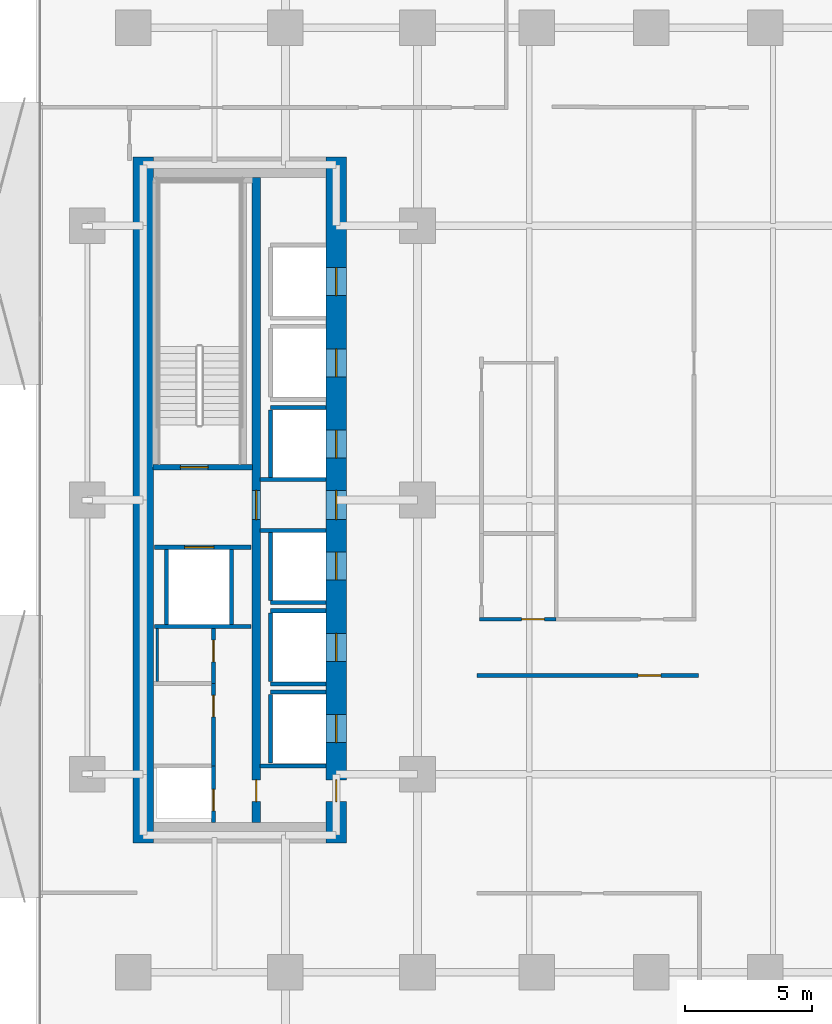
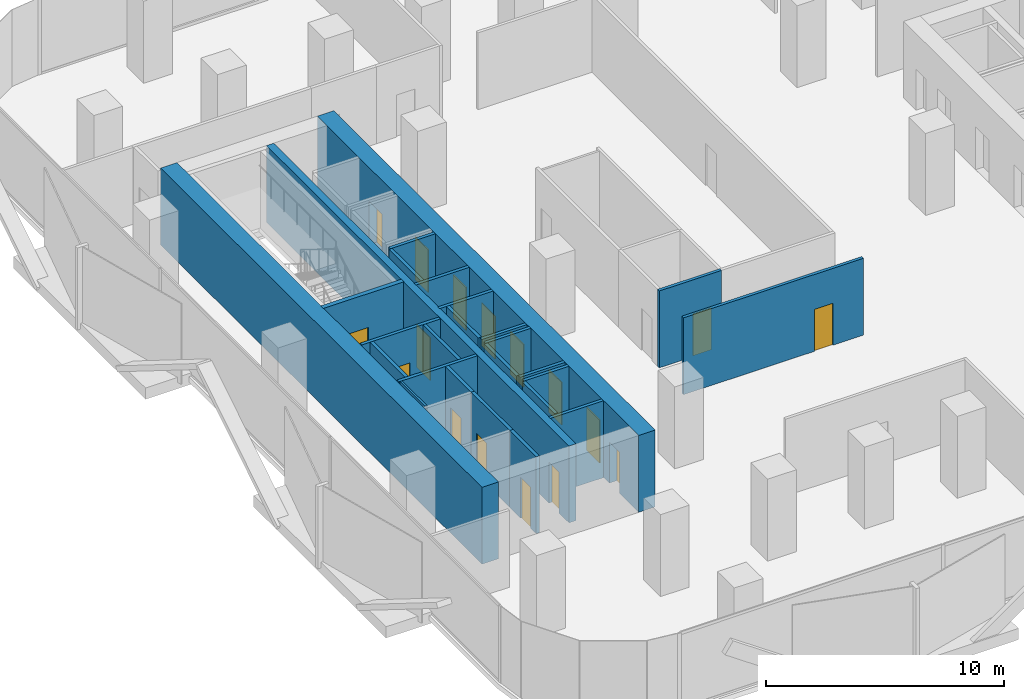
# One storey, part 3 of 15: 26 walls, 17 doors, 17 openings.
"""IFC4 building model written with IfcOpenShell, lengths in metres."""

from ifc_helpers import new_model, si_unit, direction, frame, frame_2d, origin, place, context, subcontext, project, spatial, rectangle, extrude, material, layer, layer_set, type_object, element, fill, save


model = new_model("IFC4")

# Units and contexts
model_context = context("Model", 3, precision=1e-05, world=origin(), true_north=direction((0.0, 1.0)))
body_context = subcontext(model_context, "Body", "Model", "MODEL_VIEW")
ifc_project = project(units=[si_unit("LENGTHUNIT", "METRE"), si_unit("AREAUNIT", "SQUARE_METRE"), si_unit("VOLUMEUNIT", "CUBIC_METRE"), si_unit("PLANEANGLEUNIT", "RADIAN"), si_unit("MASSUNIT", "GRAM", prefix="KILO")], contexts=[model_context])

# Site, building, storey
site_placement = place(None, origin())
site = spatial("IfcSite", under=ifc_project, at=site_placement, CompositionType="ELEMENT")
building_placement = place(site_placement, origin())
building = spatial("IfcBuilding", under=site, at=building_placement, Name="Khairoan Windgate Tower", CompositionType="ELEMENT")
storey_placement = place(building_placement, frame((0.0, 0.0, 72.199951171875)))
storey = spatial("IfcBuildingStorey", under=building, at=storey_placement, Name="L17", CompositionType="ELEMENT", Elevation=72.199951171875)

# Walls
ifc_material_1 = material(Name="Moisture-Resistant Gypsum Partition", Category="gypsum")
ifc_layer_1 = layer(ifc_material_1, 0.10009765625, Name="Moisture-Resistant Gypsum Partition")
ifc_layer_set_1 = layer_set([ifc_layer_1], Name="Moisture-Resistant Gypsum Partition")
wall_type_1 = type_object("IfcWallType", Name="Bathroom Wet-Area Partition Wall", PredefinedType="PARTITIONING", material=ifc_layer_set_1)
wall_1_placement = place(storey_placement, frame((-19.449951171875, -7.14990234375, 0.0), z_axis=(0.0, 0.0, 1.0), x_axis=(0.0, 1.0, 0.0)))
element("IfcWall", 1, at=wall_1_placement, inside=storey, type_object=wall_type_1, Name="L17 Wet Room Side Wall 036", PredefinedType="PARTITIONING", context=body_context, shape_type="SweptSolid", body=[
    extrude(rectangle(XDim=2.08984375, YDim=0.10009765625, at=frame_2d((1.044921875, 0.0))), origin(), (0.0, 0.0, 1.0), 3.93994140625),
])
ifc_material_2 = material(Name="Concrete C40/50", Category="concrete")
ifc_layer_2 = layer(ifc_material_2, 0.159912109375, Name="Concrete C40/50")
ifc_layer_set_2 = layer_set([ifc_layer_2], Name="Concrete C40/50")
wall_type_2 = type_object("IfcWallType", Name="Core and Hoistway Enclosure Wall", PredefinedType="STANDARD", material=ifc_layer_set_2)
wall_2_placement = place(storey_placement, frame((-14.989990234375, 3.639892578125, 0.0), z_axis=(0.0, 0.0, 1.0), x_axis=(1.0, 0.0, 0.0)))
element("IfcWall", 2, at=wall_2_placement, inside=storey, type_object=wall_type_2, Name="L17 Lift PL3 Hoistway Divider N", PredefinedType="STANDARD", context=body_context, shape_type="SweptSolid", body=[
    extrude(rectangle(XDim=2.18994140625, YDim=0.159912109375, at=frame_2d((1.094970703125, 0.0))), origin(), (0.0, 0.0, 1.0), 3.93994140625),
])
wall_3_placement = place(storey_placement, frame((-14.989990234375, 0.85009765625, 0.0), z_axis=(0.0, 0.0, 1.0), x_axis=(0.0, 1.0, 0.0)))
element("IfcWall", 3, at=wall_3_placement, inside=storey, type_object=wall_type_2, Name="L17 Lift PL3 Hoistway Back Wall", PredefinedType="STANDARD", context=body_context, shape_type="SweptSolid", body=[
    extrude(rectangle(XDim=2.699951171875, YDim=0.159912109375, at=frame_2d((1.35009765625, 0.0))), origin(), (0.0, 0.0, 1.0), 3.93994140625),
])
wall_4_placement = place(storey_placement, frame((-14.989990234375, -4.0400390625, 0.0), z_axis=(0.0, 0.0, 1.0), x_axis=(1.0, 0.0, 0.0)))
element("IfcWall", 4, at=wall_4_placement, inside=storey, type_object=wall_type_2, Name="L17 Lift PL4 Hoistway Divider S", PredefinedType="STANDARD", context=body_context, shape_type="SweptSolid", body=[
    extrude(rectangle(XDim=2.18994140625, YDim=0.159912109375, at=frame_2d((1.094970703125, 0.0))), origin(), (0.0, 0.0, 1.0), 3.93994140625),
])
wall_5_placement = place(storey_placement, frame((-14.989990234375, -3.949951171875, 0.0), z_axis=(0.0, 0.0, 1.0), x_axis=(0.0, 1.0, 0.0)))
element("IfcWall", 5, at=wall_5_placement, inside=storey, type_object=wall_type_2, Name="L17 Lift PL4 Hoistway Back Wall", PredefinedType="STANDARD", context=body_context, shape_type="SweptSolid", body=[
    extrude(rectangle(XDim=2.699951171875, YDim=0.159912109375, at=frame_2d((1.35009765625, 0.0))), origin(), (0.0, 0.0, 1.0), 3.93994140625),
])
for number, where, z_axis, x_axis, name in (
    (6, (-14.989990234375, -7.239990234375, 0.0), (0.0, 0.0, 1.0), (1.0, 0.0, 0.0), "L17 Lift PL5 Hoistway Divider S"),
    (7, (-14.989990234375, -4.360107421875, 0.0), (0.0, 0.0, 1.0), (1.0, 0.0, 0.0), "L17 Lift PL5 Hoistway Divider N"),
):
    element("IfcWall", number, at=place(storey_placement, frame(where, z_axis=z_axis, x_axis=x_axis)), inside=storey, type_object=wall_type_2, Name=name, PredefinedType="STANDARD", context=body_context, shape_type="SweptSolid", body=[
        extrude(rectangle(XDim=2.18994140625, YDim=0.159912109375, at=frame_2d((1.094970703125, 0.0))), origin(), (0.0, 0.0, 1.0), 3.93994140625),
    ])
wall_6_placement = place(storey_placement, frame((-14.989990234375, -7.14990234375, 0.0), z_axis=(0.0, 0.0, 1.0), x_axis=(0.0, 1.0, 0.0)))
element("IfcWall", 8, at=wall_6_placement, inside=storey, type_object=wall_type_2, Name="L17 Lift PL5 Hoistway Back Wall", PredefinedType="STANDARD", context=body_context, shape_type="SweptSolid", body=[
    extrude(rectangle(XDim=2.699951171875, YDim=0.159912109375, at=frame_2d((1.35009765625, 0.0))), origin(), (0.0, 0.0, 1.0), 3.93994140625),
])
wall_7_placement = place(storey_placement, frame((-14.989990234375, -7.56005859375, 0.0), z_axis=(0.0, 0.0, 1.0), x_axis=(1.0, 0.0, 0.0)))
element("IfcWall", 9, at=wall_7_placement, inside=storey, type_object=wall_type_2, Name="L17 Lift PL6 Hoistway Divider N", PredefinedType="STANDARD", context=body_context, shape_type="SweptSolid", body=[
    extrude(rectangle(XDim=2.18994140625, YDim=0.159912109375, at=frame_2d((1.094970703125, 0.0))), origin(), (0.0, 0.0, 1.0), 3.93994140625),
])
wall_8_placement = place(storey_placement, frame((-14.989990234375, -10.35009765625, 0.0), z_axis=(0.0, 0.0, 1.0), x_axis=(0.0, 1.0, 0.0)))
element("IfcWall", 10, at=wall_8_placement, inside=storey, type_object=wall_type_2, Name="L17 Lift PL6 Hoistway Back Wall", PredefinedType="STANDARD", context=body_context, shape_type="SweptSolid", body=[
    extrude(rectangle(XDim=2.7001953125, YDim=0.159912109375, at=frame_2d((1.35009765625, 0.0))), origin(), (0.0, 0.0, 1.0), 3.93994140625),
])

# Wall, opening, door
wall_9_placement = place(storey_placement, frame((-19.550048828125, -1.860107421875, 0.0), z_axis=(0.0, 0.0, 1.0), x_axis=(1.0, 0.0, 0.0)))
wall_9 = element("IfcWall", 11, at=wall_9_placement, inside=storey, type_object=wall_type_2, Name="L17 Core Shaft Wall SW-FL2-L17", PredefinedType="STANDARD", context=body_context, shape_type="SweptSolid", body=[
    extrude(rectangle(XDim=3.800048828125, YDim=0.159912109375, at=frame_2d((1.89990234375, 0.0))), origin(), (0.0, 0.0, 1.0), 3.93994140625),
])
opening_1_placement = place(wall_9_placement, frame((1.179931640625, 0.0, 0.0)))
opening_1 = element("IfcOpeningElement", 12, at=opening_1_placement, cuts=wall_9, Name="Opening LD-FL", PredefinedType="OPENING", context=body_context, shape_type="SweptSolid", body=[
    extrude(rectangle(XDim=1.14990234375, YDim=2.199951171875, at=frame_2d((0.574951171875, 1.10009765625))), frame((0.0, 0.08984375, 0.0), z_axis=(0.0, -1.0, 0.0), x_axis=(1.0, 0.0, 0.0)), (0.0, 0.0, 1.0), 0.179931640625),
])
ifc_material_3 = material(Name="Steel S355", Category="steel")
door_type_1 = type_object("IfcDoorType", Name="Firefighting Lift Sliding Landing Door LD-FL 1150x2200", OperationType="DOUBLE_DOOR_SLIDING", PredefinedType="DOOR", material=ifc_material_3)
door_1_placement = place(opening_1_placement, origin())
door_1 = element("IfcDoor", 13, at=door_1_placement, inside=storey, type_object=door_type_1, Name="L17 Firefighting Lift FL2 Landing Door", OperationType="DOUBLE_DOOR_SLIDING", OverallHeight=2.199951171875, OverallWidth=1.14990234375, PredefinedType="DOOR", context=body_context, shape_type="SweptSolid", body=[
    extrude(rectangle(XDim=1.14990234375, YDim=2.199951171875, at=frame_2d((0.574951171875, 1.10009765625))), frame((0.0, 0.02490234375, 0.0), z_axis=(0.0, -1.0, 0.0), x_axis=(1.0, 0.0, 0.0)), (0.0, 0.0, 1.0), 0.050048828125),
])
fill(opening_1, door_1)

# Walls
wall_10_placement = place(storey_placement, frame((-19.550048828125, -4.97998046875, 0.0), z_axis=(0.0, 0.0, 1.0), x_axis=(1.0, 0.0, 0.0)))
element("IfcWall", 14, at=wall_10_placement, inside=storey, type_object=wall_type_2, Name="L17 Core Shaft Wall SW-FL2B-L17", PredefinedType="STANDARD", context=body_context, shape_type="SweptSolid", body=[
    extrude(rectangle(XDim=3.800048828125, YDim=0.159912109375, at=frame_2d((1.89990234375, 0.0))), origin(), (0.0, 0.0, 1.0), 3.93994140625),
])
for number, where, z_axis, x_axis, name in (
    (15, (-19.080078125, -4.89990234375, 0.0), (0.0, 0.0, 1.0), (0.0, 1.0, 0.0), "L17 Core Shaft Wall SW-FL2W-L17"),
    (16, (-16.52001953125, -4.89990234375, 0.0), (0.0, 0.0, 1.0), (0.0, 1.0, 0.0), "L17 Core Shaft Wall SW-FL2E-L17"),
):
    element("IfcWall", number, at=place(storey_placement, frame(where, z_axis=z_axis, x_axis=x_axis)), inside=storey, type_object=wall_type_2, Name=name, PredefinedType="STANDARD", context=body_context, shape_type="SweptSolid", body=[
        extrude(rectangle(XDim=2.9599609375, YDim=0.159912109375, at=frame_2d((1.47998046875, 0.0))), origin(), (0.0, 0.0, 1.0), 3.93994140625),
    ])
for number, where, z_axis, x_axis, name in (
    (17, (-15.39990234375, 0.800048828125, 0.0), (0.0, 0.0, 1.0), (1.0, 0.0, 0.0), "L17 Core Shaft Wall SW-WV1-L17"),
    (18, (-15.39990234375, -1.199951171875, 0.0), (0.0, 0.0, 1.0), (1.0, 0.0, 0.0), "L17 Core Shaft Wall SW-WV2-L17"),
    (19, (-15.39990234375, -10.47998046875, 0.0), (0.0, 0.0, 1.0), (1.0, 0.0, 0.0), "L17 Core Shaft Wall SW-WSV-L17"),
):
    element("IfcWall", number, at=place(storey_placement, frame(where, z_axis=z_axis, x_axis=x_axis)), inside=storey, type_object=wall_type_2, Name=name, PredefinedType="STANDARD", context=body_context, shape_type="SweptSolid", body=[
        extrude(rectangle(XDim=2.599853515625, YDim=0.159912109375, at=frame_2d((1.2998046875, 0.0))), origin(), (0.0, 0.0, 1.0), 3.93994140625),
    ])

# Wall, opening, door
ifc_material_4 = material(Name="Concrete C40/50", Category="concrete")
ifc_layer_3 = layer(ifc_material_4, 0.159912109375, Name="Concrete C40/50")
ifc_layer_set_3 = layer_set([ifc_layer_3], Name="Concrete C40/50")
wall_type_3 = type_object("IfcWallType", Name="Plant and Refuge Compartment Wall", PredefinedType="PARTITIONING", material=ifc_layer_set_3)
wall_11_placement = place(storey_placement, frame((-17.22998046875, -12.699951171875, 0.0), z_axis=(0.0, 0.0, 1.0), x_axis=(0.0, 1.0, 0.0)))
wall_11 = element("IfcWall", 20, at=wall_11_placement, inside=storey, type_object=wall_type_3, Name="L17 Interior Partition 001", PredefinedType="PARTITIONING", context=body_context, shape_type="SweptSolid", body=[
    extrude(rectangle(XDim=2.22998046875, YDim=0.159912109375, at=frame_2d((1.114990234375, 0.0))), origin(), (0.0, 0.0, 1.0), 3.93994140625),
])
opening_2_placement = place(wall_11_placement, frame((0.4599609375, 0.0, 0.0)))
opening_2 = element("IfcOpeningElement", 21, at=opening_2_placement, cuts=wall_11, Name="Opening FD-SRV", PredefinedType="OPENING", context=body_context, shape_type="SweptSolid", body=[
    extrude(rectangle(XDim=0.85009765625, YDim=2.10009765625, at=frame_2d((0.425048828125, 1.050048828125))), frame((0.0, 0.08984375, 0.0), z_axis=(0.0, -1.0, 0.0), x_axis=(1.0, 0.0, 0.0)), (0.0, 0.0, 1.0), 0.179931640625),
])
ifc_material_5 = material(Name="Steel S355", Category="steel")
door_type_2 = type_object("IfcDoorType", Name="Core Service and Riser Fire Door FD-SRV 850x2100", OperationType="NOTDEFINED", PredefinedType="DOOR", material=ifc_material_5)
door_2_placement = place(opening_2_placement, origin())
door_2 = element("IfcDoor", 22, at=door_2_placement, inside=storey, type_object=door_type_2, Name="L17 L17-04-L17-05 Door", OperationType="SINGLE_SWING_LEFT", OverallHeight=2.10009765625, OverallWidth=0.85009765625, PredefinedType="DOOR", context=body_context, shape_type="SweptSolid", body=[
    extrude(rectangle(XDim=0.85009765625, YDim=2.10009765625, at=frame_2d((0.425048828125, 1.050048828125))), frame((0.0, 0.02490234375, 0.0), z_axis=(0.0, -1.0, 0.0), x_axis=(1.0, 0.0, 0.0)), (0.0, 0.0, 1.0), 0.050048828125),
])
fill(opening_2, door_2)

wall_12_placement = place(storey_placement, frame((-17.22998046875, -7.22998046875, 0.0), z_axis=(0.0, 0.0, 1.0), x_axis=(0.0, 1.0, 0.0)))
wall_12 = element("IfcWall", 23, at=wall_12_placement, inside=storey, type_object=wall_type_3, Name="L17 Interior Partition 002", PredefinedType="PARTITIONING", context=body_context, shape_type="SweptSolid", body=[
    extrude(rectangle(XDim=2.169921875, YDim=0.159912109375, at=frame_2d((1.0849609375, 0.0))), origin(), (0.0, 0.0, 1.0), 3.93994140625),
])
opening_3_placement = place(wall_12_placement, frame((0.860107421875, 0.0, 0.0)))
opening_3 = element("IfcOpeningElement", 24, at=opening_3_placement, cuts=wall_12, Name="Opening FD-SRV", PredefinedType="OPENING", context=body_context, shape_type="SweptSolid", body=[
    extrude(rectangle(XDim=0.85009765625, YDim=2.10009765625, at=frame_2d((0.425048828125, 1.050048828125))), frame((0.0, 0.08984375, 0.0), z_axis=(0.0, -1.0, 0.0), x_axis=(1.0, 0.0, 0.0)), (0.0, 0.0, 1.0), 0.179931640625),
])
door_3_placement = place(opening_3_placement, origin())
door_3 = element("IfcDoor", 25, at=door_3_placement, inside=storey, type_object=door_type_2, Name="L17 L17-04-L17-06 Door", OperationType="SINGLE_SWING_RIGHT", OverallHeight=2.10009765625, OverallWidth=0.85009765625, PredefinedType="DOOR", context=body_context, shape_type="SweptSolid", body=[
    extrude(rectangle(XDim=0.85009765625, YDim=2.10009765625, at=frame_2d((0.425048828125, 1.050048828125))), frame((0.0, 0.02490234375, 0.0), z_axis=(0.0, -1.0, 0.0), x_axis=(1.0, 0.0, 0.0)), (0.0, 0.0, 1.0), 0.050048828125),
])
fill(opening_3, door_3)

wall_13_placement = place(storey_placement, frame((-17.22998046875, -10.469970703125, 0.0), z_axis=(0.0, 0.0, 1.0), x_axis=(0.0, 1.0, 0.0)))
wall_13 = element("IfcWall", 26, at=wall_13_placement, inside=storey, type_object=wall_type_3, Name="L17 Interior Partition 003", PredefinedType="PARTITIONING", context=body_context, shape_type="SweptSolid", body=[
    extrude(rectangle(XDim=3.239990234375, YDim=0.159912109375, at=frame_2d((1.6201171875, 0.0))), origin(), (0.0, 0.0, 1.0), 3.93994140625),
])
opening_4_placement = place(wall_13_placement, frame((1.929931640625, 0.0, 0.0)))
opening_4 = element("IfcOpeningElement", 27, at=opening_4_placement, cuts=wall_13, Name="Opening FD-SRV", PredefinedType="OPENING", context=body_context, shape_type="SweptSolid", body=[
    extrude(rectangle(XDim=0.85009765625, YDim=2.10009765625, at=frame_2d((0.425048828125, 1.050048828125))), frame((0.0, 0.08984375, 0.0), z_axis=(0.0, -1.0, 0.0), x_axis=(1.0, 0.0, 0.0)), (0.0, 0.0, 1.0), 0.179931640625),
])
door_4_placement = place(opening_4_placement, origin())
door_4 = element("IfcDoor", 28, at=door_4_placement, inside=storey, type_object=door_type_2, Name="L17 L17-04-L17-07 Door", OperationType="SINGLE_SWING_LEFT", OverallHeight=2.10009765625, OverallWidth=0.85009765625, PredefinedType="DOOR", context=body_context, shape_type="SweptSolid", body=[
    extrude(rectangle(XDim=0.85009765625, YDim=2.10009765625, at=frame_2d((0.425048828125, 1.050048828125))), frame((0.0, 0.02490234375, 0.0), z_axis=(0.0, -1.0, 0.0), x_axis=(1.0, 0.0, 0.0)), (0.0, 0.0, 1.0), 0.050048828125),
])
fill(opening_4, door_4)

ifc_material_6 = material(Name="Acoustic Fire-Rated Gypsum Partition", Category="gypsum")
ifc_layer_4 = layer(ifc_material_6, 0.14990234375, Name="Acoustic Fire-Rated Gypsum Partition")
ifc_layer_set_4 = layer_set([ifc_layer_4], Name="Acoustic Fire-Rated Gypsum Partition")
wall_type_4 = type_object("IfcWallType", Name="Rated Corridor Partition Wall", PredefinedType="PARTITIONING", material=ifc_layer_set_4)
wall_14_placement = place(storey_placement, frame((-6.760009765625, -4.695068359375, 0.0), z_axis=(0.0, 0.0, 1.0), x_axis=(1.0, 0.0, 0.0)))
wall_14 = element("IfcWall", 29, at=wall_14_placement, inside=storey, type_object=wall_type_4, Name="L17 Interior Partition 012", PredefinedType="PARTITIONING", context=body_context, shape_type="SweptSolid", body=[
    extrude(rectangle(XDim=3.02001953125, YDim=0.14990234375, at=frame_2d((1.510009765625, 0.0))), origin(), (0.0, 0.0, 1.0), 3.93994140625),
])
opening_5_placement = place(wall_14_placement, frame((1.659912109375, 0.0, 0.0)))
opening_5 = element("IfcOpeningElement", 30, at=opening_5_placement, cuts=wall_14, Name="Opening FD-ENT", PredefinedType="OPENING", context=body_context, shape_type="SweptSolid", body=[
    extrude(rectangle(XDim=0.89990234375, YDim=2.14990234375, at=frame_2d((0.449951171875, 1.074951171875))), frame((0.0, 0.0849609375, 0.0), z_axis=(0.0, -1.0, 0.0), x_axis=(1.0, 0.0, 0.0)), (0.0, 0.0, 1.0), 0.169921875),
])
ifc_material_7 = material(Name="Timber Fire-Rated Core", Category="wood")
door_type_3 = type_object("IfcDoorType", Name="Unit and Office Fire Entrance Door FD-ENT 900x2150", OperationType="NOTDEFINED", PredefinedType="DOOR", material=ifc_material_7)
door_5_placement = place(opening_5_placement, origin())
door_5 = element("IfcDoor", 31, at=door_5_placement, inside=storey, type_object=door_type_3, Name="L17 L17-31-L17-44 Door", OperationType="SINGLE_SWING_RIGHT", OverallHeight=2.14990234375, OverallWidth=0.89990234375, PredefinedType="DOOR", context=body_context, shape_type="SweptSolid", body=[
    extrude(rectangle(XDim=0.89990234375, YDim=2.14990234375, at=frame_2d((0.449951171875, 1.074951171875))), frame((0.0, 0.02490234375, 0.0), z_axis=(0.0, -1.0, 0.0), x_axis=(1.0, 0.0, 0.0)), (0.0, 0.0, 1.0), 0.050048828125),
])
fill(opening_5, door_5)

wall_15_placement = place(storey_placement, frame((-6.860107421875, -6.905029296875, 0.0), z_axis=(0.0, 0.0, 1.0), x_axis=(1.0, 0.0, 0.0)))
wall_15 = element("IfcWall", 32, at=wall_15_placement, inside=storey, type_object=wall_type_4, Name="L17 Interior Partition 014", PredefinedType="PARTITIONING", context=body_context, shape_type="SweptSolid", body=[
    extrude(rectangle(XDim=8.72021484375, YDim=0.14990234375, at=frame_2d((4.360107421875, 0.0))), origin(), (0.0, 0.0, 1.0), 3.93994140625),
])
opening_6_placement = place(wall_15_placement, frame((6.34521484375, 0.0, 0.0)))
opening_6 = element("IfcOpeningElement", 33, at=opening_6_placement, cuts=wall_15, Name="Opening FD-ENT", PredefinedType="OPENING", context=body_context, shape_type="SweptSolid", body=[
    extrude(rectangle(XDim=0.89990234375, YDim=2.14990234375, at=frame_2d((0.449951171875, 1.074951171875))), frame((0.0, 0.0849609375, 0.0), z_axis=(0.0, -1.0, 0.0), x_axis=(1.0, 0.0, 0.0)), (0.0, 0.0, 1.0), 0.169921875),
])
door_6_placement = place(opening_6_placement, origin())
door_6 = element("IfcDoor", 34, at=door_6_placement, inside=storey, type_object=door_type_3, Name="L17 L17-31-L17-47 Door", OperationType="SINGLE_SWING_RIGHT", OverallHeight=2.14990234375, OverallWidth=0.89990234375, PredefinedType="DOOR", context=body_context, shape_type="SweptSolid", body=[
    extrude(rectangle(XDim=0.89990234375, YDim=2.14990234375, at=frame_2d((0.449951171875, 1.074951171875))), frame((0.0, 0.02490234375, 0.0), z_axis=(0.0, -1.0, 0.0), x_axis=(1.0, 0.0, 0.0)), (0.0, 0.0, 1.0), 0.050048828125),
])
fill(opening_6, door_6)

# Wall
ifc_material_8 = material(Name="Concrete C70/85", Category="concrete")
ifc_layer_5 = layer(ifc_material_8, 0.800048828125, Name="Concrete C70/85")
ifc_layer_set_5 = layer_set([ifc_layer_5], Name="Concrete C70/85")
wall_type_5 = type_object("IfcWallType", Name="Shear Wall CW-W1 800mm", PredefinedType="SHEAR", material=ifc_layer_set_5)
wall_16_placement = place(storey_placement, frame((-20.0, -13.5, 0.0), z_axis=(0.0, 0.0, 1.0), x_axis=(0.0, 1.0, 0.0)))
element("IfcWall", 35, at=wall_16_placement, inside=storey, type_object=wall_type_5, Name="W Core West Shear Wall L17", PredefinedType="SHEAR", context=body_context, shape_type="SweptSolid", body=[
    extrude(rectangle(XDim=27.0, YDim=0.800048828125, at=frame_2d((13.5, 0.0))), origin(), (0.0, 0.0, 1.0), 3.93994140625),
])

# Wall, openings, doors
wall_17_placement = place(storey_placement, frame((-12.39990234375, -13.5, 0.0), z_axis=(0.0, 0.0, 1.0), x_axis=(0.0, 1.0, 0.0)))
wall_17 = element("IfcWall", 36, at=wall_17_placement, inside=storey, type_object=wall_type_5, Name="W Core East Shear Wall L17", PredefinedType="SHEAR", context=body_context, shape_type="SweptSolid", body=[
    extrude(rectangle(XDim=27.0, YDim=0.800048828125, at=frame_2d((13.5, 0.0))), origin(), (0.0, 0.0, 1.0), 3.93994140625),
])
opening_7_placement = place(wall_17_placement, frame((21.550048828125, 0.0, 0.0)))
opening_7 = element("IfcOpeningElement", 37, at=opening_7_placement, cuts=wall_17, Name="Opening LD-PL", PredefinedType="OPENING", context=body_context, shape_type="SweptSolid", body=[
    extrude(rectangle(XDim=1.10009765625, YDim=2.199951171875, at=frame_2d((0.550048828125, 1.10009765625))), frame((0.0, 0.409912109375, 0.0), z_axis=(0.0, -1.0, 0.0), x_axis=(1.0, 0.0, 0.0)), (0.0, 0.0, 1.0), 0.820068359375),
])
opening_8_placement = place(wall_17_placement, frame((18.35009765625, 0.0, 0.0)))
opening_8 = element("IfcOpeningElement", 38, at=opening_8_placement, cuts=wall_17, Name="Opening LD-PL", PredefinedType="OPENING", context=body_context, shape_type="SweptSolid", body=[
    extrude(rectangle(XDim=1.10009765625, YDim=2.199951171875, at=frame_2d((0.550048828125, 1.10009765625))), frame((0.0, 0.409912109375, 0.0), z_axis=(0.0, -1.0, 0.0), x_axis=(1.0, 0.0, 0.0)), (0.0, 0.0, 1.0), 0.820068359375),
])
opening_9_placement = place(wall_17_placement, frame((15.14990234375, 0.0, 0.0)))
opening_9 = element("IfcOpeningElement", 39, at=opening_9_placement, cuts=wall_17, Name="Opening LD-PL", PredefinedType="OPENING", context=body_context, shape_type="SweptSolid", body=[
    extrude(rectangle(XDim=1.10009765625, YDim=2.199951171875, at=frame_2d((0.550048828125, 1.10009765625))), frame((0.0, 0.409912109375, 0.0), z_axis=(0.0, -1.0, 0.0), x_axis=(1.0, 0.0, 0.0)), (0.0, 0.0, 1.0), 0.820068359375),
])
opening_10_placement = place(wall_17_placement, frame((10.35009765625, 0.0, 0.0)))
opening_10 = element("IfcOpeningElement", 40, at=opening_10_placement, cuts=wall_17, Name="Opening LD-PL", PredefinedType="OPENING", context=body_context, shape_type="SweptSolid", body=[
    extrude(rectangle(XDim=1.10009765625, YDim=2.199951171875, at=frame_2d((0.550048828125, 1.10009765625))), frame((0.0, 0.409912109375, 0.0), z_axis=(0.0, -1.0, 0.0), x_axis=(1.0, 0.0, 0.0)), (0.0, 0.0, 1.0), 0.820068359375),
])
opening_11_placement = place(wall_17_placement, frame((7.14990234375, 0.0, 0.0)))
opening_11 = element("IfcOpeningElement", 41, at=opening_11_placement, cuts=wall_17, Name="Opening LD-PL", PredefinedType="OPENING", context=body_context, shape_type="SweptSolid", body=[
    extrude(rectangle(XDim=1.10009765625, YDim=2.199951171875, at=frame_2d((0.550048828125, 1.10009765625))), frame((0.0, 0.409912109375, 0.0), z_axis=(0.0, -1.0, 0.0), x_axis=(1.0, 0.0, 0.0)), (0.0, 0.0, 1.0), 0.820068359375),
])
opening_12_placement = place(wall_17_placement, frame((3.949951171875, 0.0, 0.0)))
opening_12 = element("IfcOpeningElement", 42, at=opening_12_placement, cuts=wall_17, Name="Opening LD-PL", PredefinedType="OPENING", context=body_context, shape_type="SweptSolid", body=[
    extrude(rectangle(XDim=1.10009765625, YDim=2.199951171875, at=frame_2d((0.550048828125, 1.10009765625))), frame((0.0, 0.409912109375, 0.0), z_axis=(0.0, -1.0, 0.0), x_axis=(1.0, 0.0, 0.0)), (0.0, 0.0, 1.0), 0.820068359375),
])
opening_13_placement = place(wall_17_placement, frame((12.72509765625, 0.0, 0.0)))
opening_13 = element("IfcOpeningElement", 43, at=opening_13_placement, cuts=wall_17, Name="Opening FD-FFL", PredefinedType="OPENING", context=body_context, shape_type="SweptSolid", body=[
    extrude(rectangle(XDim=1.14990234375, YDim=2.199951171875, at=frame_2d((0.574951171875, 1.10009765625))), frame((0.0, 0.409912109375, 0.0), z_axis=(0.0, -1.0, 0.0), x_axis=(1.0, 0.0, 0.0)), (0.0, 0.0, 1.0), 0.820068359375),
])
opening_14_placement = place(wall_17_placement, frame((1.625, 0.0, 0.0)))
opening_14 = element("IfcOpeningElement", 44, at=opening_14_placement, cuts=wall_17, Name="Opening FD-SRV", PredefinedType="OPENING", context=body_context, shape_type="SweptSolid", body=[
    extrude(rectangle(XDim=0.85009765625, YDim=2.10009765625, at=frame_2d((0.425048828125, 1.050048828125))), frame((0.0, 0.409912109375, 0.0), z_axis=(0.0, -1.0, 0.0), x_axis=(1.0, 0.0, 0.0)), (0.0, 0.0, 1.0), 0.820068359375),
])
door_7_placement = place(opening_14_placement, origin())
door_7 = element("IfcDoor", 45, at=door_7_placement, inside=storey, type_object=door_type_2, Name="L17 West Core Service Vestibule Outer Door", OperationType="SINGLE_SWING_LEFT", OverallHeight=2.10009765625, OverallWidth=0.85009765625, PredefinedType="DOOR", context=body_context, shape_type="SweptSolid", body=[
    extrude(rectangle(XDim=0.85009765625, YDim=2.10009765625, at=frame_2d((0.425048828125, 1.050048828125))), frame((0.0, 0.02490234375, 0.0), z_axis=(0.0, -1.0, 0.0), x_axis=(1.0, 0.0, 0.0)), (0.0, 0.0, 1.0), 0.050048828125),
])
fill(opening_14, door_7)
ifc_material_9 = material(Name="Steel S355", Category="steel")
door_type_4 = type_object("IfcDoorType", Name="Firefighting Lobby Fire Door FD-FFL 1150x2200", OperationType="NOTDEFINED", PredefinedType="DOOR", material=ifc_material_9)
door_8_placement = place(opening_13_placement, origin())
door_8 = element("IfcDoor", 46, at=door_8_placement, inside=storey, type_object=door_type_4, Name="L17 West Core Vestibule Entry Door", OperationType="SINGLE_SWING_LEFT", OverallHeight=2.199951171875, OverallWidth=1.14990234375, PredefinedType="DOOR", context=body_context, shape_type="SweptSolid", body=[
    extrude(rectangle(XDim=1.14990234375, YDim=2.199951171875, at=frame_2d((0.574951171875, 1.10009765625))), frame((0.0, 0.02490234375, 0.0), z_axis=(0.0, -1.0, 0.0), x_axis=(1.0, 0.0, 0.0)), (0.0, 0.0, 1.0), 0.050048828125),
])
fill(opening_13, door_8)
ifc_material_10 = material(Name="Anodised Bronze Aluminium 6063-T6", Category="aluminium")
door_type_5 = type_object("IfcDoorType", Name="Passenger Lift Sliding Landing Door LD-PL 1100x2200", OperationType="DOUBLE_DOOR_SLIDING", PredefinedType="DOOR", material=ifc_material_10)
door_9_placement = place(opening_7_placement, origin())
door_9 = element("IfcDoor", 47, at=door_9_placement, inside=storey, type_object=door_type_5, Name="L17 Lift PL1 Sliding Landing Door", OperationType="DOUBLE_DOOR_SLIDING", OverallHeight=2.199951171875, OverallWidth=1.10009765625, PredefinedType="DOOR", context=body_context, shape_type="SweptSolid", body=[
    extrude(rectangle(XDim=1.10009765625, YDim=2.199951171875, at=frame_2d((0.550048828125, 1.10009765625))), frame((0.0, 0.02490234375, 0.0), z_axis=(0.0, -1.0, 0.0), x_axis=(1.0, 0.0, 0.0)), (0.0, 0.0, 1.0), 0.050048828125),
])
fill(opening_7, door_9)
door_10_placement = place(opening_8_placement, origin())
door_10 = element("IfcDoor", 48, at=door_10_placement, inside=storey, type_object=door_type_5, Name="L17 Lift PL2 Sliding Landing Door", OperationType="DOUBLE_DOOR_SLIDING", OverallHeight=2.199951171875, OverallWidth=1.10009765625, PredefinedType="DOOR", context=body_context, shape_type="SweptSolid", body=[
    extrude(rectangle(XDim=1.10009765625, YDim=2.199951171875, at=frame_2d((0.550048828125, 1.10009765625))), frame((0.0, 0.02490234375, 0.0), z_axis=(0.0, -1.0, 0.0), x_axis=(1.0, 0.0, 0.0)), (0.0, 0.0, 1.0), 0.050048828125),
])
fill(opening_8, door_10)
door_11_placement = place(opening_9_placement, origin())
door_11 = element("IfcDoor", 49, at=door_11_placement, inside=storey, type_object=door_type_5, Name="L17 Lift PL3 Sliding Landing Door", OperationType="DOUBLE_DOOR_SLIDING", OverallHeight=2.199951171875, OverallWidth=1.10009765625, PredefinedType="DOOR", context=body_context, shape_type="SweptSolid", body=[
    extrude(rectangle(XDim=1.10009765625, YDim=2.199951171875, at=frame_2d((0.550048828125, 1.10009765625))), frame((0.0, 0.02490234375, 0.0), z_axis=(0.0, -1.0, 0.0), x_axis=(1.0, 0.0, 0.0)), (0.0, 0.0, 1.0), 0.050048828125),
])
fill(opening_9, door_11)
door_12_placement = place(opening_10_placement, origin())
door_12 = element("IfcDoor", 50, at=door_12_placement, inside=storey, type_object=door_type_5, Name="L17 Lift PL4 Sliding Landing Door", OperationType="DOUBLE_DOOR_SLIDING", OverallHeight=2.199951171875, OverallWidth=1.10009765625, PredefinedType="DOOR", context=body_context, shape_type="SweptSolid", body=[
    extrude(rectangle(XDim=1.10009765625, YDim=2.199951171875, at=frame_2d((0.550048828125, 1.10009765625))), frame((0.0, 0.02490234375, 0.0), z_axis=(0.0, -1.0, 0.0), x_axis=(1.0, 0.0, 0.0)), (0.0, 0.0, 1.0), 0.050048828125),
])
fill(opening_10, door_12)
door_13_placement = place(opening_11_placement, origin())
door_13 = element("IfcDoor", 51, at=door_13_placement, inside=storey, type_object=door_type_5, Name="L17 Lift PL5 Sliding Landing Door", OperationType="DOUBLE_DOOR_SLIDING", OverallHeight=2.199951171875, OverallWidth=1.10009765625, PredefinedType="DOOR", context=body_context, shape_type="SweptSolid", body=[
    extrude(rectangle(XDim=1.10009765625, YDim=2.199951171875, at=frame_2d((0.550048828125, 1.10009765625))), frame((0.0, 0.02490234375, 0.0), z_axis=(0.0, -1.0, 0.0), x_axis=(1.0, 0.0, 0.0)), (0.0, 0.0, 1.0), 0.050048828125),
])
fill(opening_11, door_13)
door_14_placement = place(opening_12_placement, origin())
door_14 = element("IfcDoor", 52, at=door_14_placement, inside=storey, type_object=door_type_5, Name="L17 Lift PL6 Sliding Landing Door", OperationType="DOUBLE_DOOR_SLIDING", OverallHeight=2.199951171875, OverallWidth=1.10009765625, PredefinedType="DOOR", context=body_context, shape_type="SweptSolid", body=[
    extrude(rectangle(XDim=1.10009765625, YDim=2.199951171875, at=frame_2d((0.550048828125, 1.10009765625))), frame((0.0, 0.02490234375, 0.0), z_axis=(0.0, -1.0, 0.0), x_axis=(1.0, 0.0, 0.0)), (0.0, 0.0, 1.0), 0.050048828125),
])
fill(opening_12, door_14)

ifc_material_11 = material(Name="Concrete C60/75", Category="concrete")
ifc_layer_6 = layer(ifc_material_11, 0.35009765625, Name="Concrete C60/75")
ifc_layer_set_6 = layer_set([ifc_layer_6], Name="Concrete C60/75")
wall_type_6 = type_object("IfcWallType", Name="Shear Wall SW-1 350mm", PredefinedType="SHEAR", material=ifc_layer_set_6)
wall_18_placement = place(storey_placement, frame((-15.550048828125, -12.699951171875, 0.0), z_axis=(0.0, 0.0, 1.0), x_axis=(0.0, 1.0, 0.0)))
wall_18 = element("IfcWall", 53, at=wall_18_placement, inside=storey, type_object=wall_type_6, Name="W Core Spine Shear Wall L17", PredefinedType="SHEAR", context=body_context, shape_type="SweptSolid", body=[
    extrude(rectangle(XDim=25.39990234375, YDim=0.35009765625, at=frame_2d((12.699951171875, 0.0))), origin(), (0.0, 0.0, 1.0), 3.93994140625),
])
opening_15_placement = place(wall_18_placement, frame((11.925048828125, 0.0, 0.0)))
opening_15 = element("IfcOpeningElement", 54, at=opening_15_placement, cuts=wall_18, Name="Opening FD-FFL", PredefinedType="OPENING", context=body_context, shape_type="SweptSolid", body=[
    extrude(rectangle(XDim=1.14990234375, YDim=2.199951171875, at=frame_2d((0.574951171875, 1.10009765625))), frame((0.0, 0.18505859375, 0.0), z_axis=(0.0, -1.0, 0.0), x_axis=(1.0, 0.0, 0.0)), (0.0, 0.0, 1.0), 0.3701171875),
])
opening_16_placement = place(wall_18_placement, frame((0.824951171875, 0.0, 0.0)))
opening_16 = element("IfcOpeningElement", 55, at=opening_16_placement, cuts=wall_18, Name="Opening FD-SRV", PredefinedType="OPENING", context=body_context, shape_type="SweptSolid", body=[
    extrude(rectangle(XDim=0.85009765625, YDim=2.10009765625, at=frame_2d((0.425048828125, 1.050048828125))), frame((0.0, 0.18505859375, 0.0), z_axis=(0.0, -1.0, 0.0), x_axis=(1.0, 0.0, 0.0)), (0.0, 0.0, 1.0), 0.3701171875),
])
door_15_placement = place(opening_16_placement, origin())
door_15 = element("IfcDoor", 56, at=door_15_placement, inside=storey, type_object=door_type_2, Name="L17 West Core Service Passage Inner Door", OperationType="SINGLE_SWING_RIGHT", OverallHeight=2.10009765625, OverallWidth=0.85009765625, PredefinedType="DOOR", context=body_context, shape_type="SweptSolid", body=[
    extrude(rectangle(XDim=0.85009765625, YDim=2.10009765625, at=frame_2d((0.425048828125, 1.050048828125))), frame((0.0, 0.02490234375, 0.0), z_axis=(0.0, -1.0, 0.0), x_axis=(1.0, 0.0, 0.0)), (0.0, 0.0, 1.0), 0.050048828125),
])
fill(opening_16, door_15)
door_16_placement = place(opening_15_placement, origin())
door_16 = element("IfcDoor", 57, at=door_16_placement, inside=storey, type_object=door_type_4, Name="L17 West Firefighting Lobby Fire Door", OperationType="SINGLE_SWING_RIGHT", OverallHeight=2.199951171875, OverallWidth=1.14990234375, PredefinedType="DOOR", context=body_context, shape_type="SweptSolid", body=[
    extrude(rectangle(XDim=1.14990234375, YDim=2.199951171875, at=frame_2d((0.574951171875, 1.10009765625))), frame((0.0, 0.02490234375, 0.0), z_axis=(0.0, -1.0, 0.0), x_axis=(1.0, 0.0, 0.0)), (0.0, 0.0, 1.0), 0.050048828125),
])
fill(opening_15, door_16)

# Wall, opening, door
ifc_material_12 = material(Name="Concrete C50/60", Category="concrete")
ifc_layer_7 = layer(ifc_material_12, 0.219970703125, Name="Concrete C50/60")
ifc_layer_set_7 = layer_set([ifc_layer_7], Name="Concrete C50/60")
wall_type_7 = type_object("IfcWallType", Name="Shear Wall SW-ST 220mm", PredefinedType="SHEAR", material=ifc_layer_set_7)
wall_19_placement = place(storey_placement, frame((-19.6201171875, 1.2900390625, 0.0), z_axis=(0.0, 0.0, 1.0), x_axis=(1.0, 0.0, 0.0)))
wall_19 = element("IfcWall", 58, at=wall_19_placement, inside=storey, type_object=wall_type_7, Name="L17 Stair ST2 South Bearing Wall", PredefinedType="SHEAR", context=body_context, shape_type="SweptSolid", body=[
    extrude(rectangle(XDim=3.9150390625, YDim=0.219970703125, at=frame_2d((1.95751953125, 0.0))), origin(), (0.0, 0.0, 1.0), 3.93994140625),
])
opening_17_placement = place(wall_19_placement, frame((1.080078125, 0.0, 0.0)))
opening_17 = element("IfcOpeningElement", 59, at=opening_17_placement, cuts=wall_19, Name="Opening FD-ST", PredefinedType="OPENING", context=body_context, shape_type="SweptSolid", body=[
    extrude(rectangle(XDim=1.10009765625, YDim=2.199951171875, at=frame_2d((0.550048828125, 1.10009765625))), frame((0.0, 0.119873046875, 0.0), z_axis=(0.0, -1.0, 0.0), x_axis=(1.0, 0.0, 0.0)), (0.0, 0.0, 1.0), 0.239990234375),
])
ifc_material_13 = material(Name="Steel S355", Category="steel")
door_type_6 = type_object("IfcDoorType", Name="Smokeproof Stair Fire Door FD-ST 1100x2200", OperationType="NOTDEFINED", PredefinedType="DOOR", material=ifc_material_13)
door_17_placement = place(opening_17_placement, origin())
door_17 = element("IfcDoor", 60, at=door_17_placement, inside=storey, type_object=door_type_6, Name="L17 Stair ST2 Fire Door", OperationType="SINGLE_SWING_LEFT", OverallHeight=2.199951171875, OverallWidth=1.10009765625, PredefinedType="DOOR", context=body_context, shape_type="SweptSolid", body=[
    extrude(rectangle(XDim=1.10009765625, YDim=2.199951171875, at=frame_2d((0.550048828125, 1.10009765625))), frame((0.0, 0.02490234375, 0.0), z_axis=(0.0, -1.0, 0.0), x_axis=(1.0, 0.0, 0.0)), (0.0, 0.0, 1.0), 0.050048828125),
])
fill(opening_17, door_17)

save(model, "model.ifc")
